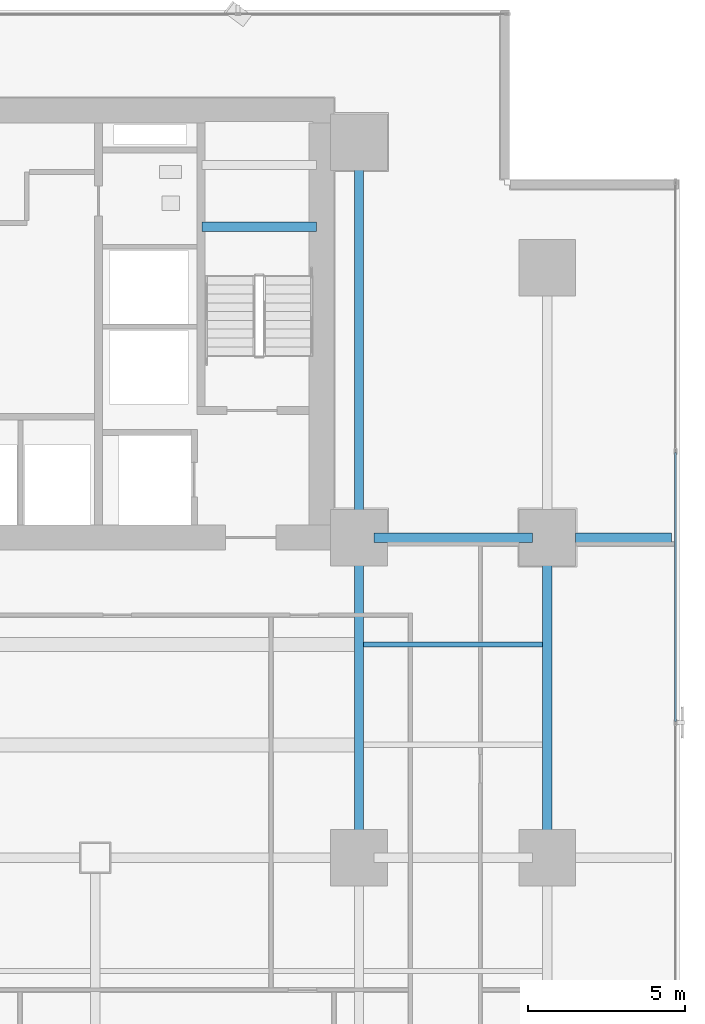
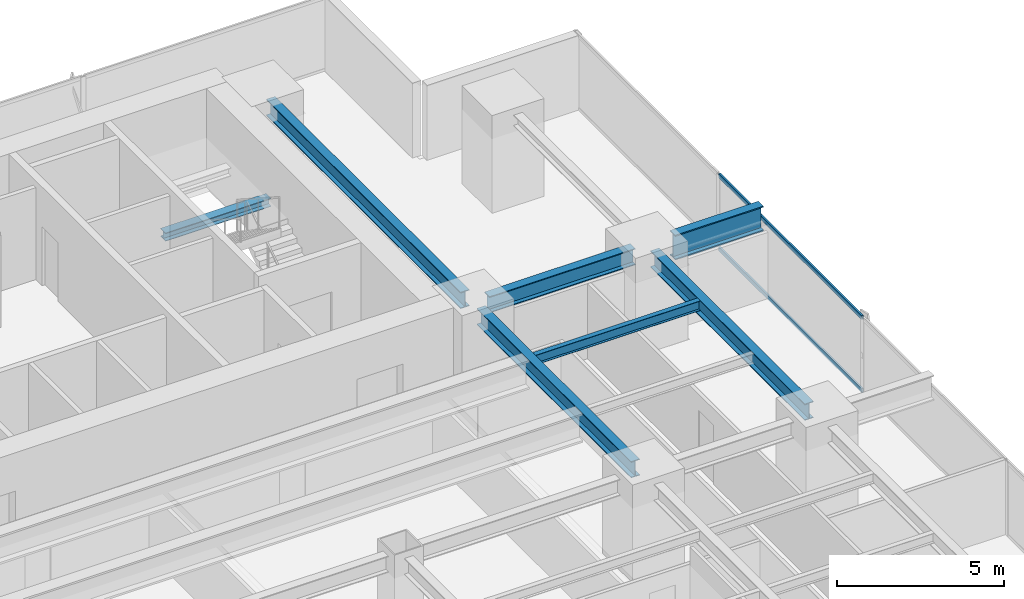
# One storey, part 20 of 33: 7 beams, 2 members, 1 element without a shape of its own.
"""IFC4 building model written with IfcOpenShell, lengths in metres."""

from ifc_helpers import new_model, si_unit, direction, frame, origin, origin_2d, place, context, subcontext, project, spatial, hollow_rectangle, i_section, extrude, source, transform, mapped, material, layer, layer_set, material_profile, profile_set, type_object, element, aggregate, save


model = new_model("IFC4")

# Units and contexts
model_context = context("Model", 3, precision=1e-05, world=origin(), true_north=direction((0.0, 1.0)))
body_context = subcontext(model_context, "Body", "Model", "MODEL_VIEW")
ifc_project = project(units=[si_unit("LENGTHUNIT", "METRE"), si_unit("AREAUNIT", "SQUARE_METRE"), si_unit("VOLUMEUNIT", "CUBIC_METRE"), si_unit("PLANEANGLEUNIT", "RADIAN"), si_unit("MASSUNIT", "GRAM", prefix="KILO")], contexts=[model_context])

# Site, building, storey
site_placement = place(None, origin())
site = spatial("IfcSite", under=ifc_project, at=site_placement, CompositionType="ELEMENT")
building_placement = place(site_placement, origin())
building = spatial("IfcBuilding", under=site, at=building_placement, Name="Sumidabori Civic Tower", CompositionType="ELEMENT")
storey_placement = place(building_placement, frame((0.0, 0.0, 30.800048828125)))
storey = spatial("IfcBuildingStorey", under=building, at=storey_placement, Name="L07", CompositionType="ELEMENT", Elevation=30.800048828125)

# Beams
ifc_material_1 = material(Name="Steel SN490", Category="steel")
ifc_material_profile_1 = material_profile(ifc_material_1, i_section(OverallWidth=0.300048828125, OverallDepth=0.300048828125, WebThickness=0.010986328125, FlangeThickness=0.01904296875, at=origin_2d()), Name="HE 300 B")
ifc_profile_set_1 = profile_set([ifc_material_profile_1], Name="Steel SN490")
beam_type_1 = type_object("IfcBeamType", Name="BM-LDG-300", PredefinedType="BEAM", material=ifc_profile_set_1)
shared_shape_1 = source(origin(), body_context, "Body", "SweptSolid", [
    extrude(i_section(OverallWidth=0.300048828125, OverallDepth=0.300048828125, WebThickness=0.010986328125, FlangeThickness=0.01904296875, at=origin_2d()), origin(), (0.0, 0.0, 1.0), 3.64990234375),
])
beam_1_placement = place(storey_placement, frame((11.800048828125, 20.09765625, 1.449951171875), z_axis=(1.0, 0.0, 0.0), x_axis=(0.0, 1.0, 0.0)))
element("IfcBeam", 1, at=beam_1_placement, inside=storey, type_object=beam_type_1, Name="Stair ST-2 Landing Support Beam L07-1A", PredefinedType="BEAM", context=body_context, shape_type="MappedRepresentation", body=[
    mapped(shared_shape_1, transform((0.0, 0.0, 0.0), x_axis=(1.0, 0.0, 0.0), y_axis=(0.0, 1.0, 0.0), z_axis=(0.0, 0.0, 1.0), scale=1.0)),
])
ifc_material_profile_2 = material_profile(ifc_material_1, i_section(OverallWidth=0.300048828125, OverallDepth=0.60009765625, WebThickness=0.015380859375, FlangeThickness=0.030029296875, at=origin_2d()), Name="HE 600 B")
ifc_profile_set_2 = profile_set([ifc_material_profile_2], Name="Steel SN490")
beam_type_2 = type_object("IfcBeamType", Name="BM-GIRD-600", PredefinedType="BEAM", material=ifc_profile_set_2)
shared_shape_2 = source(origin(), body_context, "Body", "SweptSolid", [
    extrude(i_section(OverallWidth=0.300048828125, OverallDepth=0.60009765625, WebThickness=0.015380859375, FlangeThickness=0.030029296875, at=origin_2d()), origin(), (0.0, 0.0, 1.0), 5.0400390625),
])
beam_2_placement = place(storey_placement, frame((17.280029296875, 10.199951171875, 3.06005859375), z_axis=(1.0, 0.0, 0.0), x_axis=(0.0, 1.0, 0.0)))
element("IfcBeam", 2, at=beam_2_placement, inside=storey, type_object=beam_type_2, Name="Primary Girder L07 GX-20", PredefinedType="BEAM", context=body_context, shape_type="MappedRepresentation", body=[
    mapped(shared_shape_2, transform((0.0, 0.0, 0.0), x_axis=(1.0, 0.0, 0.0), y_axis=(0.0, 1.0, 0.0), z_axis=(0.0, 0.0, 1.0), scale=1.0)),
])
shared_shape_3 = source(origin(), body_context, "Body", "SweptSolid", [
    extrude(i_section(OverallWidth=0.300048828125, OverallDepth=0.60009765625, WebThickness=0.015380859375, FlangeThickness=0.030029296875, at=origin_2d()), origin(), (0.0, 0.0, 1.0), 9.239990234375),
])
for number, where, z_axis, x_axis, name in (
    (3, (16.800048828125, 0.47998046875, 3.06005859375), (0.0, 1.0, 0.0), (-1.0, 0.0, 0.0), "Primary Girder L07 GY-37"),
    (4, (22.800048828125, 0.47998046875, 3.06005859375), (0.0, 1.0, 0.0), (-1.0, 0.0, 0.0), "Primary Girder L07 GY-41"),
):
    element("IfcBeam", number, at=place(storey_placement, frame(where, z_axis=z_axis, x_axis=x_axis)), inside=storey, type_object=beam_type_2, Name=name, PredefinedType="BEAM", context=body_context, shape_type="MappedRepresentation", body=[
        mapped(shared_shape_3, transform((0.0, 0.0, 0.0), x_axis=(1.0, 0.0, 0.0), y_axis=(0.0, 1.0, 0.0), z_axis=(0.0, 0.0, 1.0), scale=1.0)),
    ])
shared_shape_4 = source(origin(), body_context, "Body", "SweptSolid", [
    extrude(i_section(OverallWidth=0.300048828125, OverallDepth=0.60009765625, WebThickness=0.015380859375, FlangeThickness=0.030029296875, at=origin_2d()), origin(), (0.0, 0.0, 1.0), 11.64013671875),
])
beam_3_placement = place(storey_placement, frame((16.800048828125, 10.679931640625, 3.06005859375), z_axis=(0.0, 1.0, 0.0), x_axis=(-1.0, 0.0, 0.0)))
element("IfcBeam", 5, at=beam_3_placement, inside=storey, type_object=beam_type_2, Name="Primary Girder L07 GY-38", PredefinedType="BEAM", context=body_context, shape_type="MappedRepresentation", body=[
    mapped(shared_shape_4, transform((0.0, 0.0, 0.0), x_axis=(1.0, 0.0, 0.0), y_axis=(0.0, 1.0, 0.0), z_axis=(0.0, 0.0, 1.0), scale=1.0)),
])
ifc_material_profile_3 = material_profile(ifc_material_1, i_section(OverallWidth=0.302001953125, OverallDepth=0.909912109375, WebThickness=0.02099609375, FlangeThickness=0.0400390625, at=origin_2d()), Name="HE 900 M")
ifc_profile_set_3 = profile_set([ifc_material_profile_3], Name="Steel SN490")
beam_type_3 = type_object("IfcBeamType", Name="BM-Z1-EDGE", PredefinedType="SPANDREL", material=ifc_profile_set_3)
shared_shape_5 = source(origin(), body_context, "Body", "SweptSolid", [
    extrude(i_section(OverallWidth=0.302001953125, OverallDepth=0.909912109375, WebThickness=0.02099609375, FlangeThickness=0.0400390625, at=origin_2d()), origin(), (0.0, 0.0, 1.0), 3.050048828125),
])
beam_4_placement = place(storey_placement, frame((23.699951171875, 10.199951171875, 2.905029296875), z_axis=(1.0, 0.0, 0.0), x_axis=(0.0, 1.0, 0.0)))
element("IfcBeam", 6, at=beam_4_placement, inside=storey, type_object=beam_type_3, Name="Perimeter Overhang Beam L07 E-47", PredefinedType="SPANDREL", context=body_context, shape_type="MappedRepresentation", body=[
    mapped(shared_shape_5, transform((0.0, 0.0, 0.0), x_axis=(1.0, 0.0, 0.0), y_axis=(0.0, 1.0, 0.0), z_axis=(0.0, 0.0, 1.0), scale=1.0)),
])
ifc_material_profile_4 = material_profile(ifc_material_1, i_section(OverallWidth=0.169921875, OverallDepth=0.360107421875, WebThickness=0.008056640625, FlangeThickness=0.0126953125, at=origin_2d()), Name="IPE 360")
ifc_profile_set_4 = profile_set([ifc_material_profile_4], Name="Steel SN490")
beam_type_4 = type_object("IfcBeamType", Name="BM-JST-360", PredefinedType="JOIST", material=ifc_profile_set_4)
shared_shape_6 = source(origin(), body_context, "Body", "SweptSolid", [
    extrude(i_section(OverallWidth=0.169921875, OverallDepth=0.360107421875, WebThickness=0.008056640625, FlangeThickness=0.0126953125, at=origin_2d()), origin(), (0.0, 0.0, 1.0), 5.699951171875),
])
beam_5_placement = place(storey_placement, frame((16.949951171875, 6.800048828125, 3.179931640625), z_axis=(1.0, 0.0, 0.0), x_axis=(0.0, 1.0, 0.0)))
element("IfcBeam", 7, at=beam_5_placement, inside=storey, type_object=beam_type_4, Name="Outer Bay Floor Joist L07 JSTO-56", PredefinedType="JOIST", context=body_context, shape_type="MappedRepresentation", body=[
    mapped(shared_shape_6, transform((0.0, 0.0, 0.0), x_axis=(1.0, 0.0, 0.0), y_axis=(0.0, 1.0, 0.0), z_axis=(0.0, 0.0, 1.0), scale=1.0)),
])

# Curtain wall, members
ifc_material_2 = material(Name="Anodised Bronze Aluminium AW-6063-T6", Category="aluminium")
ifc_layer = layer(ifc_material_2, 0.179931640625, Name="Anodised Bronze Aluminium AW-6063-T6")
ifc_layer_set = layer_set([ifc_layer], Name="Anodised Bronze Aluminium AW-6063-T6")
curtain_wall_type = type_object("IfcCurtainWallType", Name="CW-SYS-2", PredefinedType="NOTDEFINED", material=ifc_layer_set)
curtain_wall_placement = place(storey_placement, origin())
curtain_wall = element("IfcCurtainWall", 8, at=curtain_wall_placement, inside=storey, type_object=curtain_wall_type, Name="Curtain Wall CW:L07:R04", PredefinedType="NOTDEFINED")
ifc_material_profile_5 = material_profile(ifc_material_2, hollow_rectangle(XDim=0.06494140625, YDim=0.14990234375, WallThickness=0.0048828125, at=origin_2d()), Name="ALU TRANSOM 150x65")
ifc_profile_set_5 = profile_set([ifc_material_profile_5], Name="Anodised Bronze Aluminium AW-6063-T6")
member_type = type_object("IfcMemberType", Name="CW-TRN-150", PredefinedType="USERDEFINED", material=ifc_profile_set_5)
shared_shape_7 = source(origin(), body_context, "Body", "SweptSolid", [
    extrude(hollow_rectangle(XDim=0.06494140625, YDim=0.14990234375, WallThickness=0.0048828125, at=origin_2d()), origin(), (0.0, 0.0, 1.0), 8.557861328125),
])
member_1_placement = place(storey_placement, frame((26.8798828125, 4.34912109375, 0.032470703125), z_axis=(0.0, 1.0, 0.0), x_axis=(-1.0, 0.0, 0.0)))
member_1 = element("IfcMember", 9, at=member_1_placement, type_object=member_type, Name="CW-2 transom 4.1", ObjectType="TRANSOM", PredefinedType="USERDEFINED", context=body_context, shape_type="MappedRepresentation", body=[
    mapped(shared_shape_7, transform((0.0, 0.0, 0.0), x_axis=(1.0, 0.0, 0.0), y_axis=(0.0, 1.0, 0.0), z_axis=(0.0, 0.0, 1.0), scale=1.0)),
])
member_2_placement = place(storey_placement, frame((26.8798828125, 4.34912109375, 2.70751953125), z_axis=(0.0, 1.0, 0.0), x_axis=(-1.0, 0.0, 0.0)))
member_2 = element("IfcMember", 10, at=member_2_placement, type_object=member_type, Name="CW-2 transom 4.2", ObjectType="TRANSOM", PredefinedType="USERDEFINED", context=body_context, shape_type="MappedRepresentation", body=[
    mapped(shared_shape_7, transform((0.0, 0.0, 0.0), x_axis=(1.0, 0.0, 0.0), y_axis=(0.0, 1.0, 0.0), z_axis=(0.0, 0.0, 1.0), scale=1.0)),
])
aggregate(curtain_wall, [member_1, member_2])

save(model, "model.ifc")
